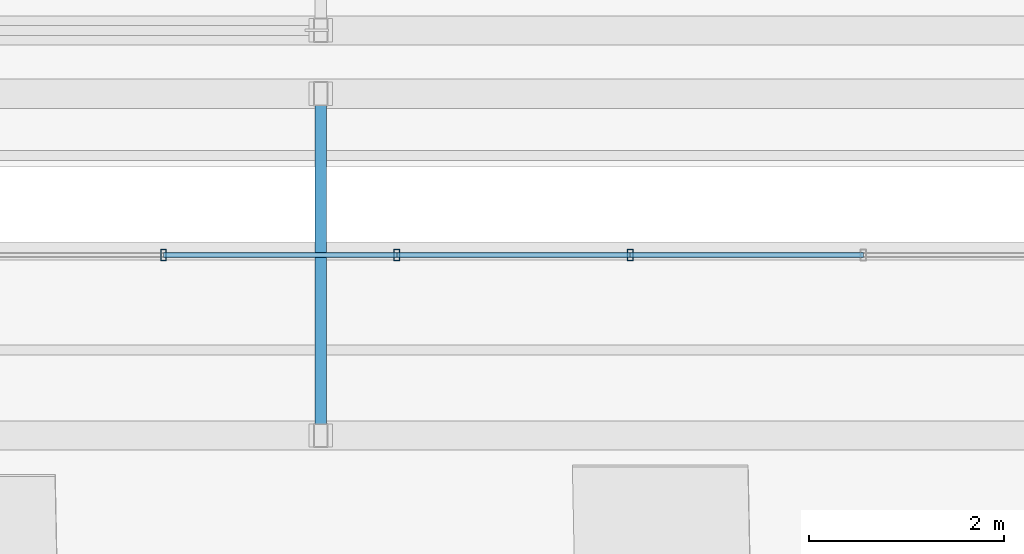
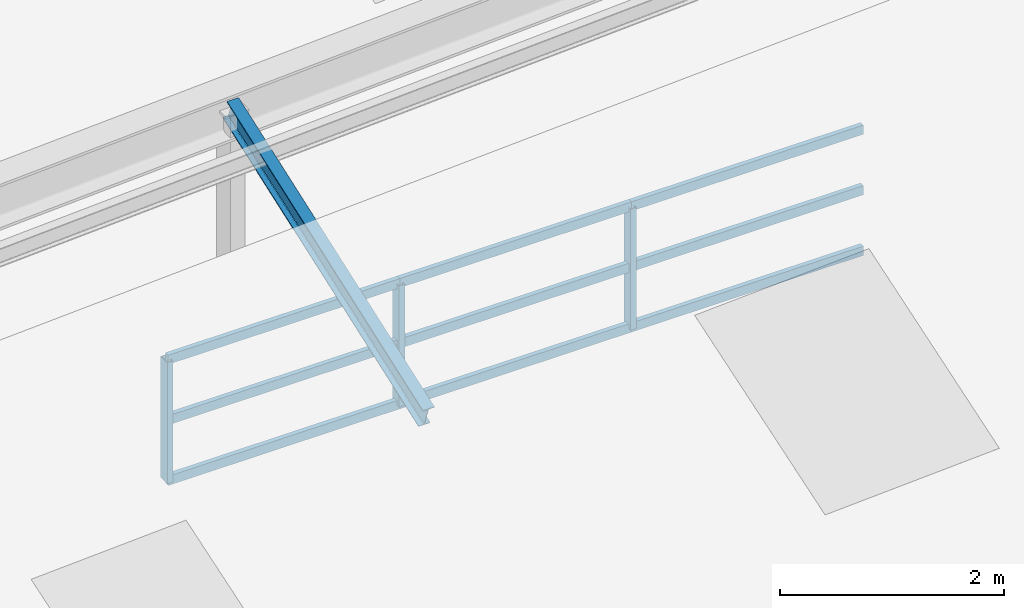
# One storey, part 10 of 141: 13 members, 1 element without a shape of its own.
"""IFC4 building model written with IfcOpenShell, lengths in metres."""

from ifc_helpers import new_model, si_unit, direction, frame, origin, origin_2d, place, context, subcontext, project, spatial, hollow_rectangle, i_section, extrude, material, material_profile, profile_set, type_object, element, aggregate, save


model = new_model("IFC4")

# Units and contexts
model_context = context("Model", 3, precision=1e-05, world=origin(), true_north=direction((0.0, 1.0)))
body_context = subcontext(model_context, "Body", "Model", "MODEL_VIEW")
ifc_project = project(units=[si_unit("LENGTHUNIT", "METRE"), si_unit("AREAUNIT", "SQUARE_METRE"), si_unit("VOLUMEUNIT", "CUBIC_METRE"), si_unit("PLANEANGLEUNIT", "RADIAN"), si_unit("MASSUNIT", "GRAM", prefix="KILO")], contexts=[model_context])

# Site, building, storey
site_placement = place(None, origin())
site = spatial("IfcSite", under=ifc_project, at=site_placement, CompositionType="ELEMENT")
building_placement = place(site_placement, origin())
building = spatial("IfcBuilding", under=site, at=building_placement, Name="Sundkrona Museum", CompositionType="ELEMENT")
storey_placement = place(building_placement, frame((0.0, 0.0, 34.0)))
storey = spatial("IfcBuildingStorey", under=building, at=storey_placement, Name="RF", CompositionType="ELEMENT", Elevation=34.0)

# Curtain wall, members
ifc_material_1 = material(Name="Unitised Aluminium-Steel and Ceramic-Clad Curtain Walling", Category="steel")
curtain_wall_type = type_object("IfcCurtainWallType", Name="CW-SW-240x13", PredefinedType="NOTDEFINED", material=ifc_material_1)
curtain_wall_placement = place(storey_placement, origin())
curtain_wall = element("IfcCurtainWall", 1, at=curtain_wall_placement, inside=storey, type_object=curtain_wall_type, Name="Sawtooth Bay 1 West North-Light Clerestory", PredefinedType="NOTDEFINED")
ifc_material_2 = material(Name="Aluminium EN AW-6060 T66", Category="aluminium")
ifc_material_profile_1 = material_profile(ifc_material_2, hollow_rectangle(XDim=0.06005859375, YDim=0.1201171875, WallThickness=0.0048828125, at=origin_2d()), Name="RHS 120x60x5.0")
ifc_profile_set_1 = profile_set([ifc_material_profile_1], Name="Aluminium EN AW-6060 T66")
member_type_1 = type_object("IfcMemberType", Name="ML-120", PredefinedType="MULLION", material=ifc_profile_set_1)
member_1_placement = place(storey_placement, frame((134.389892578125, 2.199951171875, 2.212890625), z_axis=(0.0, 0.0, 1.0), x_axis=(1.0, 0.0, 0.0)))
member_1 = element("IfcMember", 2, at=member_1_placement, type_object=member_type_1, Name="CW-RF-SAW-01W Mullion 07", PredefinedType="MULLION", context=body_context, shape_type="SweptSolid", body=[
    extrude(hollow_rectangle(XDim=0.06005859375, YDim=0.1201171875, WallThickness=0.0048828125, at=origin_2d()), origin(), (0.0, 0.0, 1.0), 1.320068359375),
])
member_2_placement = place(storey_placement, frame((136.780029296875, 2.199951171875, 2.212890625), z_axis=(0.0, 0.0, 1.0), x_axis=(1.0, 0.0, 0.0)))
member_2 = element("IfcMember", 3, at=member_2_placement, type_object=member_type_1, Name="CW-RF-SAW-01W Mullion 08", PredefinedType="MULLION", context=body_context, shape_type="SweptSolid", body=[
    extrude(hollow_rectangle(XDim=0.06005859375, YDim=0.1201171875, WallThickness=0.0048828125, at=origin_2d()), origin(), (0.0, 0.0, 1.0), 1.320068359375),
])
member_3_placement = place(storey_placement, frame((139.169921875, 2.199951171875, 2.212890625), z_axis=(0.0, 0.0, 1.0), x_axis=(1.0, 0.0, 0.0)))
member_3 = element("IfcMember", 4, at=member_3_placement, type_object=member_type_1, Name="CW-RF-SAW-01W Mullion 09", PredefinedType="MULLION", context=body_context, shape_type="SweptSolid", body=[
    extrude(hollow_rectangle(XDim=0.06005859375, YDim=0.1201171875, WallThickness=0.0048828125, at=origin_2d()), origin(), (0.0, 0.0, 1.0), 1.320068359375),
])

# Member
ifc_material_3 = material(Name="Steel S355J2", Category="steel")
ifc_material_profile_2 = material_profile(ifc_material_3, i_section(OverallWidth=0.1201171875, OverallDepth=0.239990234375, WebThickness=0.006103515625, FlangeThickness=0.009765625, FilletRadius=0.014892578125, at=origin_2d()), Name="IPE 240")
ifc_profile_set_2 = profile_set([ifc_material_profile_2], Name="Steel S355J2")
member_type_2 = type_object("IfcMemberType", Name="PR-IPE240", PredefinedType="PURLIN", material=ifc_profile_set_2)
member_4_placement = place(storey_placement, frame((136.0, 0.35009765625, 3.456298828125), z_axis=(0.0, 0.94188749485, 0.335928485015), x_axis=(-1.0, 0.0, 0.0)))
element("IfcMember", 5, at=member_4_placement, inside=storey, type_object=member_type_2, Name="RFS-1 Sawtooth Bay 1 Transverse Rafter 3", PredefinedType="PURLIN", context=body_context, shape_type="SweptSolid", body=[
    extrude(i_section(OverallWidth=0.1201171875, OverallDepth=0.239990234375, WebThickness=0.006103515625, FlangeThickness=0.009765625, FilletRadius=0.014892578125, at=origin_2d()), origin(), (0.0, 0.0, 1.0), 3.716064453125),
])

ifc_material_profile_3 = material_profile(ifc_material_2, hollow_rectangle(XDim=0.050048828125, YDim=0.10009765625, WallThickness=0.0048828125, at=origin_2d()), Name="RHS 100x50x5.0")
ifc_profile_set_3 = profile_set([ifc_material_profile_3], Name="Aluminium EN AW-6060 T66")
member_type_3 = type_object("IfcMemberType", Name="TR-100", PredefinedType="USERDEFINED", material=ifc_profile_set_3)
member_5_placement = place(storey_placement, frame((134.389892578125, 2.199951171875, 2.212890625), z_axis=(1.0, 0.0, 0.0), x_axis=(0.0, 1.0, 0.0)))
member_5 = element("IfcMember", 6, at=member_5_placement, type_object=member_type_3, Name="CW-RF-SAW-01W Transom 19", ObjectType="TRANSOM", PredefinedType="USERDEFINED", context=body_context, shape_type="SweptSolid", body=[
    extrude(hollow_rectangle(XDim=0.050048828125, YDim=0.10009765625, WallThickness=0.0048828125, at=origin_2d()), origin(), (0.0, 0.0, 1.0), 2.39013671875),
])

member_6_placement = place(storey_placement, frame((134.389892578125, 2.199951171875, 2.873046875), z_axis=(1.0, 0.0, 0.0), x_axis=(0.0, 1.0, 0.0)))
member_6 = element("IfcMember", 7, at=member_6_placement, type_object=member_type_3, Name="CW-RF-SAW-01W Transom 20", ObjectType="TRANSOM", PredefinedType="USERDEFINED", context=body_context, shape_type="SweptSolid", body=[
    extrude(hollow_rectangle(XDim=0.050048828125, YDim=0.10009765625, WallThickness=0.0048828125, at=origin_2d()), origin(), (0.0, 0.0, 1.0), 2.39013671875),
])

member_7_placement = place(storey_placement, frame((134.389892578125, 2.199951171875, 3.532958984375), z_axis=(1.0, 0.0, 0.0), x_axis=(0.0, 1.0, 0.0)))
member_7 = element("IfcMember", 8, at=member_7_placement, type_object=member_type_3, Name="CW-RF-SAW-01W Transom 21", ObjectType="TRANSOM", PredefinedType="USERDEFINED", context=body_context, shape_type="SweptSolid", body=[
    extrude(hollow_rectangle(XDim=0.050048828125, YDim=0.10009765625, WallThickness=0.0048828125, at=origin_2d()), origin(), (0.0, 0.0, 1.0), 2.39013671875),
])

member_8_placement = place(storey_placement, frame((136.780029296875, 2.199951171875, 2.212890625), z_axis=(1.0, 0.0, 0.0), x_axis=(0.0, 1.0, 0.0)))
member_8 = element("IfcMember", 9, at=member_8_placement, type_object=member_type_3, Name="CW-RF-SAW-01W Transom 22", ObjectType="TRANSOM", PredefinedType="USERDEFINED", context=body_context, shape_type="SweptSolid", body=[
    extrude(hollow_rectangle(XDim=0.050048828125, YDim=0.10009765625, WallThickness=0.0048828125, at=origin_2d()), origin(), (0.0, 0.0, 1.0), 2.389892578125),
])

member_9_placement = place(storey_placement, frame((136.780029296875, 2.199951171875, 2.873046875), z_axis=(1.0, 0.0, 0.0), x_axis=(0.0, 1.0, 0.0)))
member_9 = element("IfcMember", 10, at=member_9_placement, type_object=member_type_3, Name="CW-RF-SAW-01W Transom 23", ObjectType="TRANSOM", PredefinedType="USERDEFINED", context=body_context, shape_type="SweptSolid", body=[
    extrude(hollow_rectangle(XDim=0.050048828125, YDim=0.10009765625, WallThickness=0.0048828125, at=origin_2d()), origin(), (0.0, 0.0, 1.0), 2.389892578125),
])

member_10_placement = place(storey_placement, frame((136.780029296875, 2.199951171875, 3.532958984375), z_axis=(1.0, 0.0, 0.0), x_axis=(0.0, 1.0, 0.0)))
member_10 = element("IfcMember", 11, at=member_10_placement, type_object=member_type_3, Name="CW-RF-SAW-01W Transom 24", ObjectType="TRANSOM", PredefinedType="USERDEFINED", context=body_context, shape_type="SweptSolid", body=[
    extrude(hollow_rectangle(XDim=0.050048828125, YDim=0.10009765625, WallThickness=0.0048828125, at=origin_2d()), origin(), (0.0, 0.0, 1.0), 2.389892578125),
])

member_11_placement = place(storey_placement, frame((139.169921875, 2.199951171875, 2.212890625), z_axis=(1.0, 0.0, 0.0), x_axis=(0.0, 1.0, 0.0)))
member_11 = element("IfcMember", 12, at=member_11_placement, type_object=member_type_3, Name="CW-RF-SAW-01W Transom 25", ObjectType="TRANSOM", PredefinedType="USERDEFINED", context=body_context, shape_type="SweptSolid", body=[
    extrude(hollow_rectangle(XDim=0.050048828125, YDim=0.10009765625, WallThickness=0.0048828125, at=origin_2d()), origin(), (0.0, 0.0, 1.0), 2.39013671875),
])

member_12_placement = place(storey_placement, frame((139.169921875, 2.199951171875, 2.873046875), z_axis=(1.0, 0.0, 0.0), x_axis=(0.0, 1.0, 0.0)))
member_12 = element("IfcMember", 13, at=member_12_placement, type_object=member_type_3, Name="CW-RF-SAW-01W Transom 26", ObjectType="TRANSOM", PredefinedType="USERDEFINED", context=body_context, shape_type="SweptSolid", body=[
    extrude(hollow_rectangle(XDim=0.050048828125, YDim=0.10009765625, WallThickness=0.0048828125, at=origin_2d()), origin(), (0.0, 0.0, 1.0), 2.39013671875),
])

member_13_placement = place(storey_placement, frame((139.169921875, 2.199951171875, 3.532958984375), z_axis=(1.0, 0.0, 0.0), x_axis=(0.0, 1.0, 0.0)))
member_13 = element("IfcMember", 14, at=member_13_placement, type_object=member_type_3, Name="CW-RF-SAW-01W Transom 27", ObjectType="TRANSOM", PredefinedType="USERDEFINED", context=body_context, shape_type="SweptSolid", body=[
    extrude(hollow_rectangle(XDim=0.050048828125, YDim=0.10009765625, WallThickness=0.0048828125, at=origin_2d()), origin(), (0.0, 0.0, 1.0), 2.39013671875),
])

aggregate(curtain_wall, [member_1, member_2, member_3, member_5, member_6, member_7, member_8, member_9, member_10, member_11, member_12, member_13])

save(model, "model.ifc")
